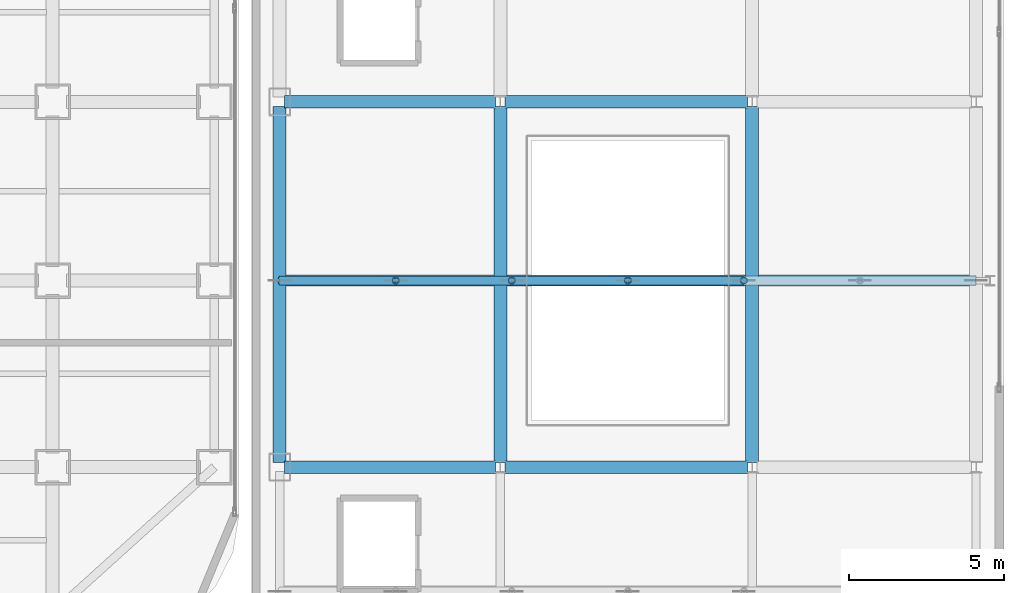
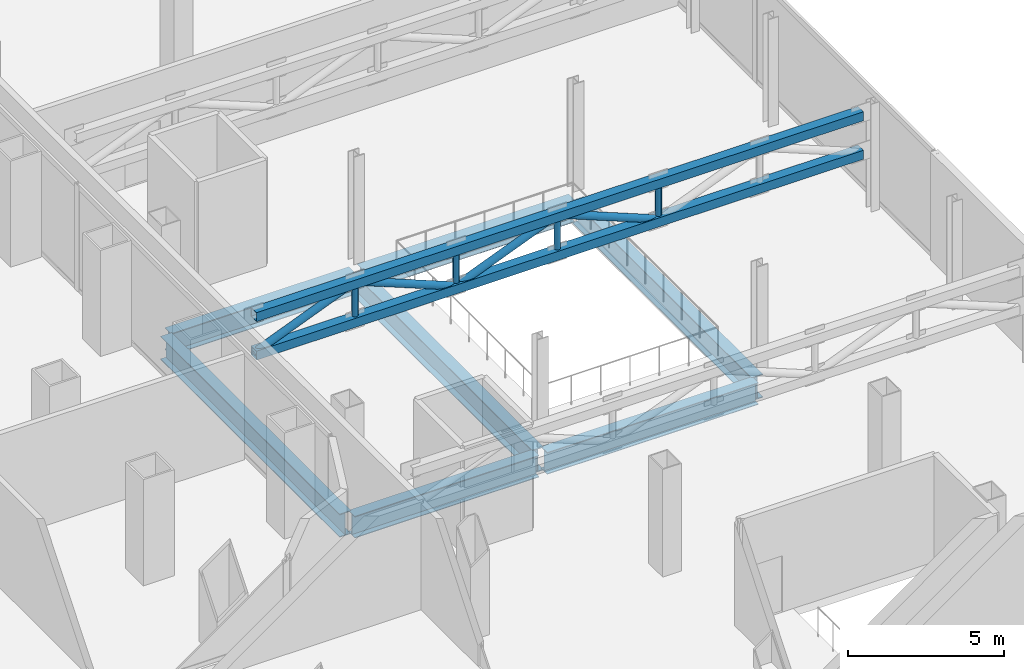
# One storey, part 13 of 28: 10 members, 7 beams.
"""IFC4 building model written with IfcOpenShell, lengths in metres."""

from ifc_helpers import new_model, si_unit, direction, frame, origin, origin_2d, place, context, subcontext, project, spatial, hollow_rectangle, hollow_circle, i_section, extrude, source, transform, mapped, material, material_profile, profile_set, type_object, element, save


model = new_model("IFC4")

# Units and contexts
model_context = context("Model", 3, precision=1e-05, world=origin(), true_north=direction((0.0, 1.0)))
body_context = subcontext(model_context, "Body", "Model", "MODEL_VIEW")
ifc_project = project(units=[si_unit("LENGTHUNIT", "METRE"), si_unit("AREAUNIT", "SQUARE_METRE"), si_unit("VOLUMEUNIT", "CUBIC_METRE"), si_unit("PLANEANGLEUNIT", "RADIAN"), si_unit("MASSUNIT", "GRAM", prefix="KILO")], contexts=[model_context])

# Site, building, storey
site_placement = place(None, origin())
site = spatial("IfcSite", under=ifc_project, at=site_placement, CompositionType="ELEMENT")
building_placement = place(site_placement, origin())
building = spatial("IfcBuilding", under=site, at=building_placement, Name="Kolveth Station Tower", CompositionType="ELEMENT")
storey_placement = place(building_placement, frame((0.0, 0.0, 18.0)))
storey = spatial("IfcBuildingStorey", under=building, at=storey_placement, Name="L04", CompositionType="ELEMENT", Elevation=18.0)

# Beams
ifc_material = material(Name="Steel S355", Category="steel")
ifc_material_profile_1 = material_profile(ifc_material, i_section(OverallWidth=0.40087890625, OverallDepth=0.85107421875, WebThickness=0.01611328125, FlangeThickness=0.025390625, at=origin_2d()), Name="W840x226")
ifc_profile_set_1 = profile_set([ifc_material_profile_1], Name="Steel S355")
beam_type_1 = type_object("IfcBeamType", Name="Beam_B2", PredefinedType="BEAM", material=ifc_profile_set_1)
shared_shape_1 = source(origin(), body_context, "Body", "SweptSolid", [
    extrude(i_section(OverallWidth=0.40087890625, OverallDepth=0.85107421875, WebThickness=0.01611328125, FlangeThickness=0.025390625, at=origin_2d()), origin(), (0.0, 0.0, 1.0), 6.800048828125),
])
for number, where, z_axis, x_axis, name in (
    (1, (48.449951171875, 5.5, -0.74560546875), (1.0, 0.0, 0.0), (0.0, 1.0, 0.0), "L04 Station Portal Girder SBM-L04-EW-3-1"),
    (2, (48.449951171875, 17.25, -0.74560546875), (1.0, 0.0, 0.0), (0.0, 1.0, 0.0), "L04 Station Portal Girder SBM-L04-EW-4-1"),
):
    element("IfcBeam", number, at=place(storey_placement, frame(where, z_axis=z_axis, x_axis=x_axis)), inside=storey, type_object=beam_type_1, Name=name, PredefinedType="BEAM", context=body_context, shape_type="MappedRepresentation", body=[
        mapped(shared_shape_1, transform((0.0, 0.0, 0.0), x_axis=(1.0, 0.0, 0.0), y_axis=(0.0, 1.0, 0.0), z_axis=(0.0, 0.0, 1.0), scale=1.0)),
    ])
shared_shape_2 = source(origin(), body_context, "Body", "SweptSolid", [
    extrude(i_section(OverallWidth=0.40087890625, OverallDepth=0.85107421875, WebThickness=0.01611328125, FlangeThickness=0.025390625, at=origin_2d()), origin(), (0.0, 0.0, 1.0), 7.800048828125),
])
for number, where, z_axis, x_axis, name in (
    (3, (55.550048828125, 5.5, -0.74560546875), (1.0, 0.0, 0.0), (0.0, 1.0, 0.0), "L04 Station Portal Girder SBM-L04-EW-3-2"),
    (4, (55.550048828125, 17.25, -0.74560546875), (1.0, 0.0, 0.0), (0.0, 1.0, 0.0), "L04 Station Portal Girder SBM-L04-EW-4-2"),
):
    element("IfcBeam", number, at=place(storey_placement, frame(where, z_axis=z_axis, x_axis=x_axis)), inside=storey, type_object=beam_type_1, Name=name, PredefinedType="BEAM", context=body_context, shape_type="MappedRepresentation", body=[
        mapped(shared_shape_2, transform((0.0, 0.0, 0.0), x_axis=(1.0, 0.0, 0.0), y_axis=(0.0, 1.0, 0.0), z_axis=(0.0, 0.0, 1.0), scale=1.0)),
    ])
ifc_material_profile_2 = material_profile(ifc_material, i_section(OverallWidth=0.41796875, OverallDepth=0.912109375, WebThickness=0.019287109375, FlangeThickness=0.031982421875, at=origin_2d()), Name="W920x342")
ifc_profile_set_2 = profile_set([ifc_material_profile_2], Name="Steel S355")
beam_type_2 = type_object("IfcBeamType", Name="Beam_B1", PredefinedType="BEAM", material=ifc_profile_set_2)
shared_shape_3 = source(origin(), body_context, "Body", "SweptSolid", [
    extrude(i_section(OverallWidth=0.41796875, OverallDepth=0.912109375, WebThickness=0.019287109375, FlangeThickness=0.031982421875, at=origin_2d()), origin(), (0.0, 0.0, 1.0), 11.4501953125),
])
for number, where, z_axis, x_axis, name in (
    (5, (48.300048828125, 5.64990234375, -0.77587890625), (0.0, 1.0, 0.0), (-1.0, 0.0, 0.0), "L04 Station Spine Girder SBM-L04-NS-1-3"),
    (6, (55.39990234375, 5.64990234375, -0.77587890625), (0.0, 1.0, 0.0), (-1.0, 0.0, 0.0), "L04 Station Spine Girder SBM-L04-NS-2-3"),
    (7, (63.5, 5.64990234375, -0.77587890625), (0.0, 1.0, 0.0), (-1.0, 0.0, 0.0), "L04 Station Spine Girder SBM-L04-NS-3-3"),
):
    element("IfcBeam", number, at=place(storey_placement, frame(where, z_axis=z_axis, x_axis=x_axis)), inside=storey, type_object=beam_type_2, Name=name, PredefinedType="BEAM", context=body_context, shape_type="MappedRepresentation", body=[
        mapped(shared_shape_3, transform((0.0, 0.0, 0.0), x_axis=(1.0, 0.0, 0.0), y_axis=(0.0, 1.0, 0.0), z_axis=(0.0, 0.0, 1.0), scale=1.0)),
    ])

# Members
ifc_material_profile_3 = material_profile(ifc_material, hollow_rectangle(XDim=0.35009765625, YDim=0.35009765625, WallThickness=0.02001953125, at=origin_2d()), Name="HSS350x350x20")
ifc_profile_set_3 = profile_set([ifc_material_profile_3], Name="Steel S355")
member_type_1 = type_object("IfcMemberType", Name="Mem_CH2", PredefinedType="CHORD", material=ifc_profile_set_3)
shared_shape_4 = source(origin(), body_context, "Body", "SweptSolid", [
    extrude(hollow_rectangle(XDim=0.35009765625, YDim=0.35009765625, WallThickness=0.02001953125, at=origin_2d()), origin(), (0.0, 0.0, 1.0), 22.39990234375),
])
for number, where, z_axis, x_axis, name in (
    (8, (48.300048828125, 11.5, 3.85009765625), (1.0, 0.0, 0.0), (0.0, 1.0, 0.0), "Station Roof Truss 2 Top Chord"),
    (9, (48.300048828125, 11.5, 2.35009765625), (1.0, 0.0, 0.0), (0.0, 1.0, 0.0), "Station Roof Truss 2 Bottom Chord"),
):
    element("IfcMember", number, at=place(storey_placement, frame(where, z_axis=z_axis, x_axis=x_axis)), inside=storey, type_object=member_type_1, Name=name, PredefinedType="CHORD", context=body_context, shape_type="MappedRepresentation", body=[
        mapped(shared_shape_4, transform((0.0, 0.0, 0.0), x_axis=(1.0, 0.0, 0.0), y_axis=(0.0, 1.0, 0.0), z_axis=(0.0, 0.0, 1.0), scale=1.0)),
    ])
ifc_material_profile_4 = material_profile(ifc_material, hollow_circle(Radius=0.136474609375, WallThickness=0.012451171875, at=origin_2d()), Name="CHS273x12.5")
ifc_profile_set_4 = profile_set([ifc_material_profile_4], Name="Steel S355")
member_type_2 = type_object("IfcMemberType", Name="Mem_BR5", PredefinedType="BRACE", material=ifc_profile_set_4)
shared_shape_5 = source(origin(), body_context, "Body", "SweptSolid", [
    extrude(hollow_circle(Radius=0.136474609375, WallThickness=0.012451171875, at=origin_2d()), origin(), (0.0, 0.0, 1.0), 4.0234375),
])
for number, where, z_axis, x_axis, name in (
    (10, (48.300048828125, 11.5, 2.35009765625), (0.927906471561, 0.0, 0.372813063123), (0.0, 1.0, 0.0), "Station Roof Truss 2 Diagonal 1"),
    (11, (55.7666015625, 11.5, 2.35009765625), (0.927906471561, 0.0, 0.372813063123), (0.0, 1.0, 0.0), "Station Roof Truss 2 Diagonal 3"),
    (12, (59.5, 11.5, 3.85009765625), (0.927906471561, 0.0, -0.372813063123), (0.0, 1.0, 0.0), "Station Roof Truss 2 Diagonal 4"),
):
    element("IfcMember", number, at=place(storey_placement, frame(where, z_axis=z_axis, x_axis=x_axis)), inside=storey, type_object=member_type_2, Name=name, PredefinedType="BRACE", context=body_context, shape_type="MappedRepresentation", body=[
        mapped(shared_shape_5, transform((0.0, 0.0, 0.0), x_axis=(1.0, 0.0, 0.0), y_axis=(0.0, 1.0, 0.0), z_axis=(0.0, 0.0, 1.0), scale=1.0)),
    ])
shared_shape_6 = source(origin(), body_context, "Body", "SweptSolid", [
    extrude(hollow_circle(Radius=0.136474609375, WallThickness=0.012451171875, at=origin_2d()), origin(), (0.0, 0.0, 1.0), 4.023193359375),
])
member_placement = place(storey_placement, frame((52.033447265625, 11.5, 3.85009765625), z_axis=(0.927898037071, 0.0, -0.372834055311), x_axis=(0.0, 1.0, 0.0)))
element("IfcMember", 13, at=member_placement, inside=storey, type_object=member_type_2, Name="Station Roof Truss 2 Diagonal 2", PredefinedType="BRACE", context=body_context, shape_type="MappedRepresentation", body=[
    mapped(shared_shape_6, transform((0.0, 0.0, 0.0), x_axis=(1.0, 0.0, 0.0), y_axis=(0.0, 1.0, 0.0), z_axis=(0.0, 0.0, 1.0), scale=1.0)),
])
ifc_material_profile_5 = material_profile(ifc_material, hollow_circle(Radius=0.109619140625, WallThickness=0.010009765625, at=origin_2d()), Name="CHS219x10")
ifc_profile_set_5 = profile_set([ifc_material_profile_5], Name="Steel S355")
member_type_3 = type_object("IfcMemberType", Name="Mem_ST-R1", PredefinedType="STRUT", material=ifc_profile_set_5)
shared_shape_7 = source(origin(), body_context, "Body", "SweptSolid", [
    extrude(hollow_circle(Radius=0.109619140625, WallThickness=0.010009765625, at=origin_2d()), origin(), (0.0, 0.0, 1.0), 1.5),
])
for number, where, z_axis, x_axis, name in (
    (14, (52.033447265625, 11.5, 2.35009765625), (0.0, 0.0, 1.0), (1.0, 0.0, 0.0), "Station Roof Truss 2 Strut 1"),
    (15, (55.7666015625, 11.5, 2.35009765625), (0.0, 0.0, 1.0), (1.0, 0.0, 0.0), "Station Roof Truss 2 Strut 2"),
    (16, (59.5, 11.5, 2.35009765625), (0.0, 0.0, 1.0), (1.0, 0.0, 0.0), "Station Roof Truss 2 Strut 3"),
    (17, (63.2333984375, 11.5, 2.35009765625), (0.0, 0.0, 1.0), (1.0, 0.0, 0.0), "Station Roof Truss 2 Strut 4"),
):
    element("IfcMember", number, at=place(storey_placement, frame(where, z_axis=z_axis, x_axis=x_axis)), inside=storey, type_object=member_type_3, Name=name, PredefinedType="STRUT", context=body_context, shape_type="MappedRepresentation", body=[
        mapped(shared_shape_7, transform((0.0, 0.0, 0.0), x_axis=(1.0, 0.0, 0.0), y_axis=(0.0, 1.0, 0.0), z_axis=(0.0, 0.0, 1.0), scale=1.0)),
    ])

save(model, "model.ifc")
